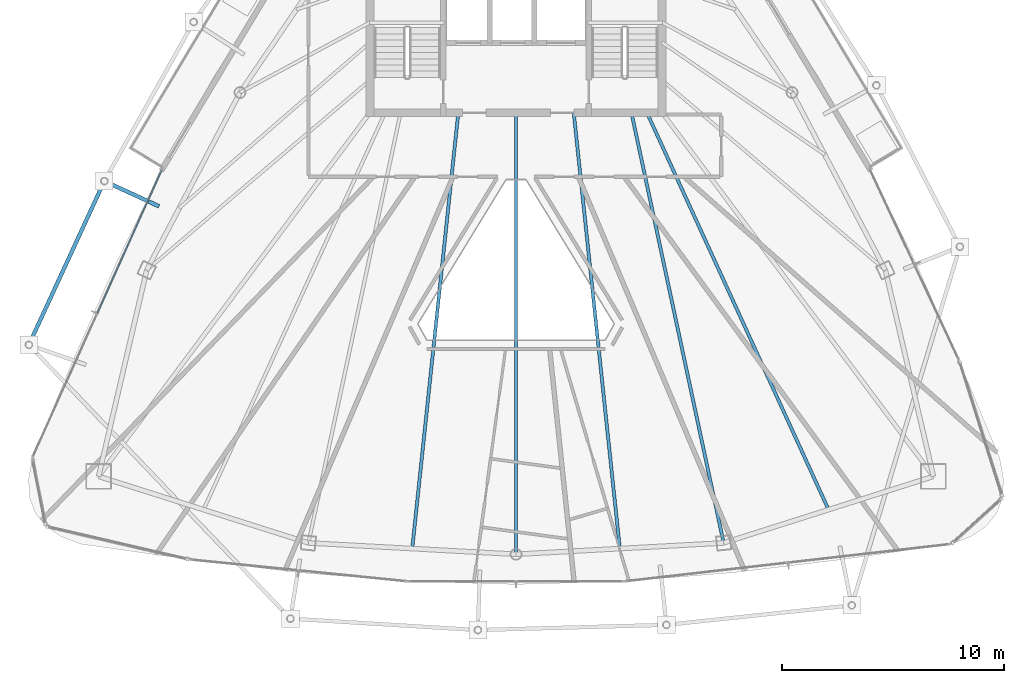
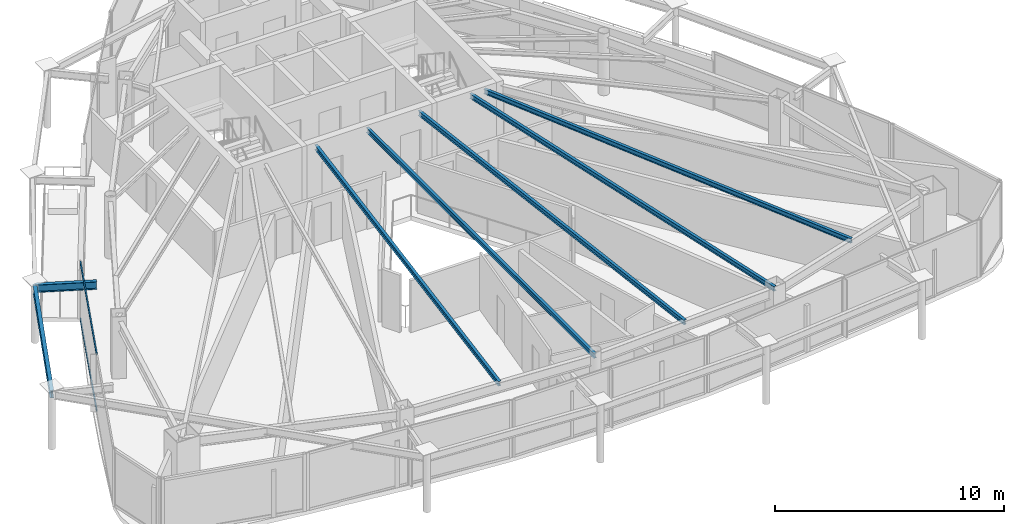
# One storey, part 9 of 28: 7 beams, 2 members, 1 element without a shape of its own.
"""IFC4 building model written with IfcOpenShell, lengths in metres."""

from ifc_helpers import new_model, si_unit, direction, frame, origin, origin_2d, place, context, subcontext, project, spatial, hollow_rectangle, i_section, extrude, material, layer, layer_set, material_profile, profile_set, type_object, element, aggregate, save


model = new_model("IFC4")

# Units and contexts
model_context = context("Model", 3, precision=1e-05, world=origin(), true_north=direction((0.0, 1.0)))
body_context = subcontext(model_context, "Body", "Model", "MODEL_VIEW")
ifc_project = project(units=[si_unit("LENGTHUNIT", "METRE"), si_unit("AREAUNIT", "SQUARE_METRE"), si_unit("VOLUMEUNIT", "CUBIC_METRE"), si_unit("PLANEANGLEUNIT", "RADIAN"), si_unit("MASSUNIT", "GRAM", prefix="KILO")], contexts=[model_context])

# Site, building, storey
site_placement = place(None, origin())
site = spatial("IfcSite", under=ifc_project, at=site_placement, CompositionType="ELEMENT")
building_placement = place(site_placement, origin())
building = spatial("IfcBuilding", under=site, at=building_placement, Name="Orvanel Arch Residences", CompositionType="ELEMENT")
storey_placement = place(building_placement, frame((0.0, 0.0, 266.75)))
storey = spatial("IfcBuildingStorey", under=building, at=storey_placement, Name="L76", CompositionType="ELEMENT", Elevation=266.75)

# Beams
ifc_material_1 = material(Name="Structural steel AS/NZS 3679.1 Grade 300 (300 MPa)", Category="steel")
ifc_material_profile_1 = material_profile(ifc_material_1, i_section(OverallWidth=0.14599609375, OverallDepth=0.251953125, WebThickness=0.006103515625, FlangeThickness=0.008544921875, at=origin_2d()), Name="250UB31.4")
ifc_profile_set_1 = profile_set([ifc_material_profile_1], Name="Structural steel AS/NZS 3679.1 Grade 300 (300 MPa)")
beam_type_1 = type_object("IfcBeamType", Name="BJ-250UB", PredefinedType="JOIST", material=ifc_profile_set_1)
beam_1_placement = place(storey_placement, frame((38.199951171875, 26.72509765625, 2.93408203125), z_axis=(0.209547604985, -0.977798446125, 0.0), x_axis=(0.977798446125, 0.209547604985, 0.0)))
element("IfcBeam", 1, at=beam_1_placement, inside=storey, type_object=beam_type_1, Name="L76 SE Wing Floor Joist", PredefinedType="JOIST", context=body_context, shape_type="SweptSolid", body=[
    extrude(i_section(OverallWidth=0.14599609375, OverallDepth=0.251953125, WebThickness=0.006103515625, FlangeThickness=0.008544921875, at=origin_2d()), origin(), (0.0, 0.0, 1.0), 19.809814453125),
])
beam_2_placement = place(storey_placement, frame((33.0, 26.72509765625, 2.93408203125), z_axis=(0.0, -1.0, 0.0), x_axis=(1.0, 0.0, 0.0)))
element("IfcBeam", 2, at=beam_2_placement, inside=storey, type_object=beam_type_1, Name="L76 SSW Wing Floor Joist", PredefinedType="JOIST", context=body_context, shape_type="SweptSolid", body=[
    extrude(i_section(OverallWidth=0.14599609375, OverallDepth=0.251953125, WebThickness=0.006103515625, FlangeThickness=0.008544921875, at=origin_2d()), origin(), (0.0, 0.0, 1.0), 19.881103515625),
])
for number, where, z_axis, x_axis, name in (
    (3, (30.39990234375, 26.72509765625, 2.93408203125), (-0.105143936131, -0.994457014, 0.0), (0.994457014, -0.105143936131, 0.0), "L76 WSW2 Wing Floor Joist"),
    (4, (35.60009765625, 26.72509765625, 2.93408203125), (0.105143936131, -0.994457014, 0.0), (0.994457014, 0.105143936131, 0.0), "L76 ESE2 Wing Floor Joist"),
):
    element("IfcBeam", number, at=place(storey_placement, frame(where, z_axis=z_axis, x_axis=x_axis)), inside=storey, type_object=beam_type_1, Name=name, PredefinedType="JOIST", context=body_context, shape_type="SweptSolid", body=[
        extrude(i_section(OverallWidth=0.14599609375, OverallDepth=0.251953125, WebThickness=0.006103515625, FlangeThickness=0.008544921875, at=origin_2d()), origin(), (0.0, 0.0, 1.0), 19.734375),
    ])
beam_3_placement = place(storey_placement, frame((38.89990234375, 26.72509765625, 2.93408203125), z_axis=(0.416009574066, -0.909360233508, 0.0), x_axis=(0.909360233508, 0.416009574066, 0.0)))
element("IfcBeam", 5, at=beam_3_placement, inside=storey, type_object=beam_type_1, Name="L76 JADD2 Wing Floor Joist", PredefinedType="JOIST", context=body_context, shape_type="SweptSolid", body=[
    extrude(i_section(OverallWidth=0.14599609375, OverallDepth=0.251953125, WebThickness=0.006103515625, FlangeThickness=0.008544921875, at=origin_2d()), origin(), (0.0, 0.0, 1.0), 19.653564453125),
])
ifc_material_profile_2 = material_profile(ifc_material_1, i_section(OverallWidth=0.177978515625, OverallDepth=0.406005859375, WebThickness=0.0078125, FlangeThickness=0.0126953125, at=origin_2d()), Name="410UB59.7")
ifc_profile_set_2 = profile_set([ifc_material_profile_2], Name="Structural steel AS/NZS 3679.1 Grade 300 (300 MPa)")
beam_type_2 = type_object("IfcBeamType", Name="OB-410UB-EXT", PredefinedType="SPANDREL", material=ifc_profile_set_2)
beam_4_placement = place(storey_placement, frame((16.919921875, 22.51708984375, 2.85693359375), z_axis=(-0.90837007807, 0.418167192958, 0.0), x_axis=(-0.418167192958, -0.90837007807, 0.0)))
element("IfcBeam", 6, at=beam_4_placement, inside=storey, type_object=beam_type_2, Name="L76 Outer Frame Radial Tie Beam 03", PredefinedType="SPANDREL", context=body_context, shape_type="SweptSolid", body=[
    extrude(i_section(OverallWidth=0.177978515625, OverallDepth=0.406005859375, WebThickness=0.0078125, FlangeThickness=0.0126953125, at=origin_2d()), origin(), (0.0, 0.0, 1.0), 2.71142578125),
])
beam_5_placement = place(storey_placement, frame((14.45703125, 23.65087890625, 2.85693359375), z_axis=(-0.418516546595, -0.908209172067, 0.0), x_axis=(0.908209172067, -0.418516546595, 0.0)))
element("IfcBeam", 7, at=beam_5_placement, inside=storey, type_object=beam_type_2, Name="L76 Outer Perimeter Floor Ring Beam 03", PredefinedType="SPANDREL", context=body_context, shape_type="SweptSolid", body=[
    extrude(i_section(OverallWidth=0.177978515625, OverallDepth=0.406005859375, WebThickness=0.0078125, FlangeThickness=0.0126953125, at=origin_2d()), origin(), (0.0, 0.0, 1.0), 8.119140625),
])

# Curtain wall, members
ifc_material_2 = material(Name="Bronze-anodised aluminium AA6063-T6", Category="aluminium")
ifc_layer = layer(ifc_material_2, 0.175048828125)
ifc_layer_set = layer_set([ifc_layer], Name="Bronze-anodised aluminium AA6063-T6")
curtain_wall_type = type_object("IfcCurtainWallType", Name="CW4-HI-SYS", PredefinedType="NOTDEFINED", material=ifc_layer_set)
curtain_wall_placement = place(storey_placement, origin())
curtain_wall = element("IfcCurtainWall", 8, at=curtain_wall_placement, inside=storey, type_object=curtain_wall_type, Name="L76 CW4-HI-SYS Unitised Curtain Wall", PredefinedType="NOTDEFINED")
ifc_material_profile_3 = material_profile(ifc_material_2, hollow_rectangle(XDim=0.06005859375, YDim=0.1201171875, WallThickness=0.00341796875, at=origin_2d()), Name="ALU120x60x3.5")
ifc_profile_set_3 = profile_set([ifc_material_profile_3], Name="Bronze-anodised aluminium AA6063-T6")
member_type = type_object("IfcMemberType", Name="TRN-120x60", PredefinedType="USERDEFINED", material=ifc_profile_set_3)
member_1_placement = place(storey_placement, frame((17.035400390625, 24.128662109375, 0.030029296875), z_axis=(-0.410081649898, -0.912048814712, 0.0), x_axis=(0.912048814712, -0.410081649898, 0.0)))
member_1 = element("IfcMember", 9, at=member_1_placement, type_object=member_type, Name="CW-S4 transom 1.1", ObjectType="TRANSOM", PredefinedType="USERDEFINED", context=body_context, shape_type="SweptSolid", body=[
    extrude(hollow_rectangle(XDim=0.06005859375, YDim=0.1201171875, WallThickness=0.00341796875, at=origin_2d()), origin(), (0.0, 0.0, 1.0), 7.030517578125),
])
member_2_placement = place(storey_placement, frame((17.035400390625, 24.128662109375, 3.030029296875), z_axis=(-0.410081649898, -0.912048814712, 0.0), x_axis=(0.912048814712, -0.410081649898, 0.0)))
member_2 = element("IfcMember", 10, at=member_2_placement, type_object=member_type, Name="CW-S4 transom 1.2", ObjectType="TRANSOM", PredefinedType="USERDEFINED", context=body_context, shape_type="SweptSolid", body=[
    extrude(hollow_rectangle(XDim=0.06005859375, YDim=0.1201171875, WallThickness=0.00341796875, at=origin_2d()), origin(), (0.0, 0.0, 1.0), 7.030517578125),
])
aggregate(curtain_wall, [member_1, member_2])

save(model, "model.ifc")
